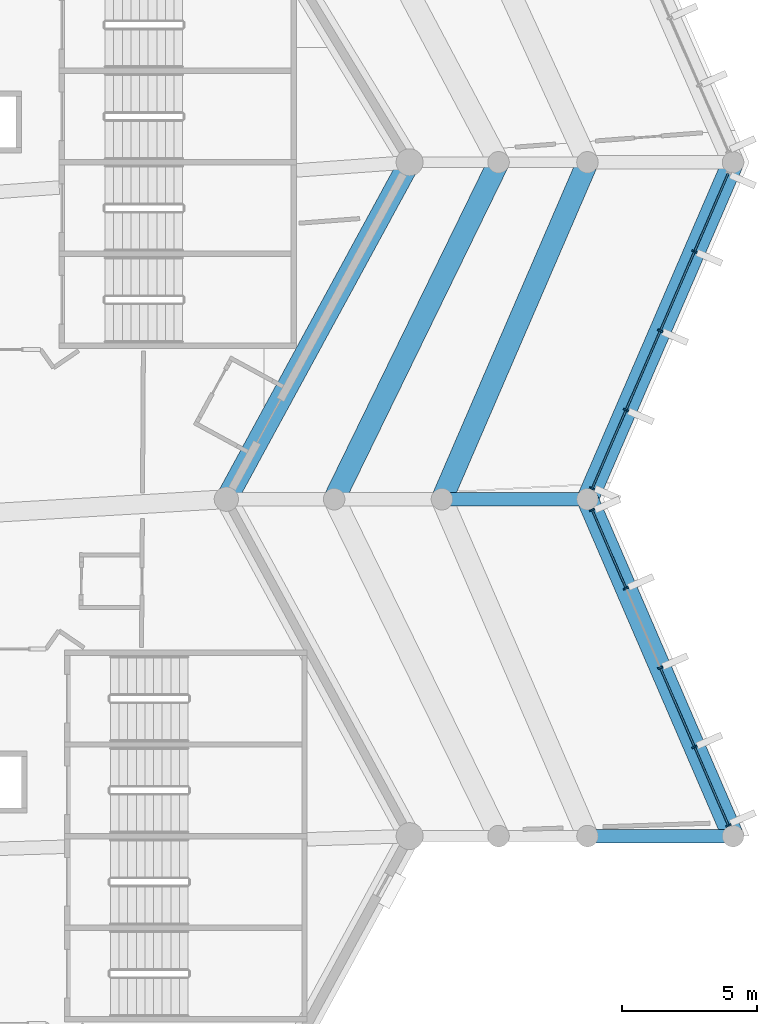
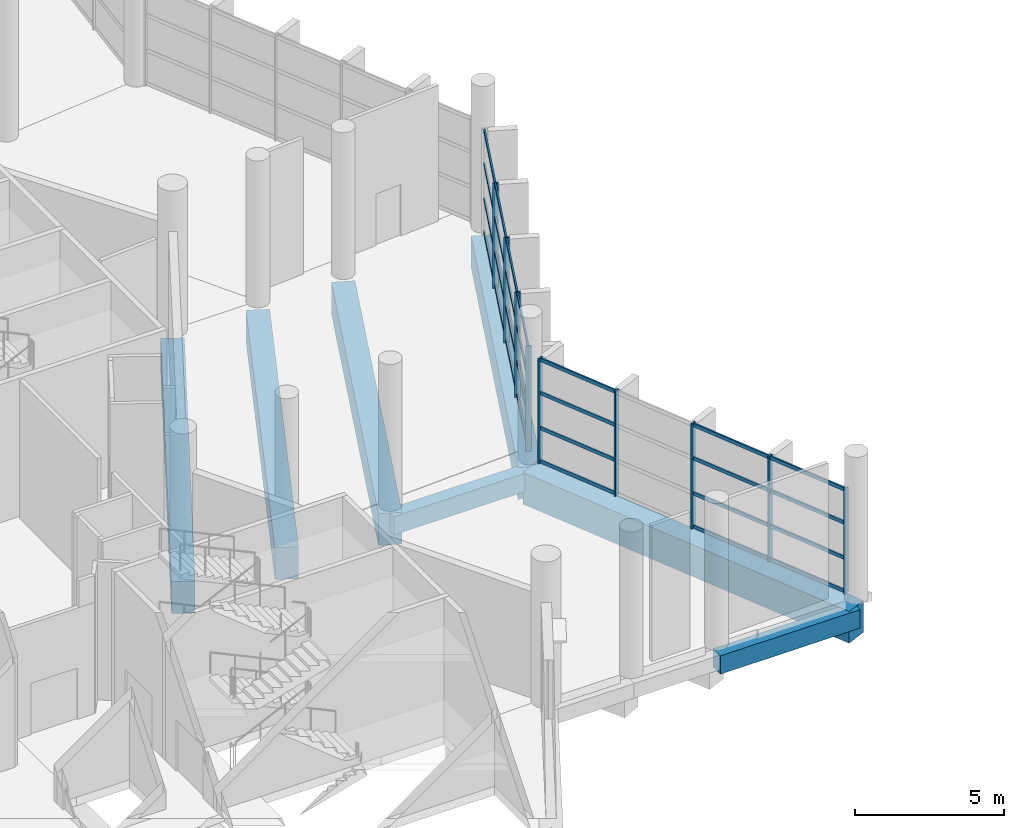
# One storey, part 81 of 249: 37 members, 7 beams, 2 elements without a shape of their own.
"""IFC4 building model written with IfcOpenShell, lengths in metres."""

from ifc_helpers import new_model, si_unit, direction, frame, origin, origin_2d, place, context, subcontext, project, spatial, rectangle, extrude, material, layer, layer_set, material_profile, profile_set, type_object, element, aggregate, save


model = new_model("IFC4")

# Units and contexts
model_context = context("Model", 3, precision=1e-05, world=origin(), true_north=direction((0.0, 1.0)))
body_context = subcontext(model_context, "Body", "Model", "MODEL_VIEW")
ifc_project = project(units=[si_unit("LENGTHUNIT", "METRE"), si_unit("AREAUNIT", "SQUARE_METRE"), si_unit("VOLUMEUNIT", "CUBIC_METRE"), si_unit("PLANEANGLEUNIT", "RADIAN"), si_unit("MASSUNIT", "GRAM", prefix="KILO")], contexts=[model_context])

# Site, building, storey
site_placement = place(None, origin())
site = spatial("IfcSite", under=ifc_project, at=site_placement, CompositionType="ELEMENT")
building_placement = place(site_placement, origin())
building = spatial("IfcBuilding", under=site, at=building_placement, Name="Meseta Stadium", CompositionType="ELEMENT")
storey_placement = place(building_placement, frame((0.0, 0.0, 12.0)))
storey = spatial("IfcBuildingStorey", under=building, at=storey_placement, Name="L02", CompositionType="ELEMENT", Elevation=12.0)

# Beams
ifc_material_1 = material(Name="Concrete C40/50", Category="concrete")
ifc_material_profile_1 = material_profile(ifc_material_1, rectangle(XDim=0.5, YDim=0.75, at=origin_2d()), Name="RC 500x750")
ifc_profile_set_1 = profile_set([ifc_material_profile_1], Name="Concrete C40/50")
beam_type_1 = type_object("IfcBeamType", Name="RC beam 500x750", PredefinedType="BEAM", material=ifc_profile_set_1)
for number, where, z_axis, x_axis, name in (
    (1, (108.0, 18.75, -0.72509765625), (1.0, 0.0, 0.0), (0.0, 1.0, 0.0), "L02 radial beam frame 6 line Q to O"),
    (2, (102.60009765625, 31.25, -0.72509765625), (1.0, 0.0, 0.0), (0.0, 1.0, 0.0), "L02 radial beam frame 7 line Q to O"),
):
    element("IfcBeam", number, at=place(storey_placement, frame(where, z_axis=z_axis, x_axis=x_axis)), inside=storey, type_object=beam_type_1, Name=name, PredefinedType="BEAM", context=body_context, shape_type="SweptSolid", body=[
        extrude(rectangle(XDim=0.5, YDim=0.75, at=origin_2d()), origin(), (0.0, 0.0, 1.0), 5.39990234375),
    ])
ifc_material_2 = material(Name="Concrete C40/50", Category="concrete")
ifc_material_profile_2 = material_profile(ifc_material_2, rectangle(XDim=0.800048828125, YDim=1.300048828125, at=origin_2d()), Name="RC 800x1300")
ifc_profile_set_2 = profile_set([ifc_material_profile_2], Name="Concrete C40/50")
beam_type_2 = type_object("IfcBeamType", Name="RC beam 800x1300", PredefinedType="BEAM", material=ifc_profile_set_2)
beam_1_placement = place(storey_placement, frame((94.60009765625, 31.25, -1.0), z_axis=(0.47785649891, 0.878437912689, 0.0), x_axis=(-0.878437912689, 0.47785649891, 0.0)))
element("IfcBeam", 3, at=beam_1_placement, inside=storey, type_object=beam_type_2, Name="L02 ring beam frame 7 line R", PredefinedType="BEAM", context=body_context, shape_type="SweptSolid", body=[
    extrude(rectangle(XDim=0.800048828125, YDim=1.300048828125, at=origin_2d()), origin(), (0.0, 0.0, 1.0), 14.229736328125),
])
beam_2_placement = place(storey_placement, frame((113.39990234375, 18.75, -1.0), z_axis=(-0.396570645327, 0.918004206562, 0.0), x_axis=(-0.918004206562, -0.396570645327, 0.0)))
element("IfcBeam", 4, at=beam_2_placement, inside=storey, type_object=beam_type_2, Name="L02 ring beam frame 6 line O", PredefinedType="BEAM", context=body_context, shape_type="SweptSolid", body=[
    extrude(rectangle(XDim=0.800048828125, YDim=1.300048828125, at=origin_2d()), origin(), (0.0, 0.0, 1.0), 13.616455078125),
])
beam_3_placement = place(storey_placement, frame((98.60009765625, 31.25, -1.0), z_axis=(0.438556770405, 0.898703487882, 0.0), x_axis=(-0.898703487882, 0.438556770405, 0.0)))
element("IfcBeam", 5, at=beam_3_placement, inside=storey, type_object=beam_type_2, Name="L02 ring beam frame 7 line M", PredefinedType="BEAM", context=body_context, shape_type="SweptSolid", body=[
    extrude(rectangle(XDim=0.800048828125, YDim=1.300048828125, at=origin_2d()), origin(), (0.0, 0.0, 1.0), 13.908935546875),
])
for number, where, z_axis, x_axis, name in (
    (6, (102.60009765625, 31.25, -1.0), (0.396570645327, 0.918004206562, 0.0), (-0.918004206562, 0.396570645327, 0.0), "L02 ring beam frame 7 line Q"),
    (7, (108.0, 31.25, -1.0), (0.396570645327, 0.918004206562, 0.0), (-0.918004206562, 0.396570645327, 0.0), "L02 ring beam frame 7 line O"),
):
    element("IfcBeam", number, at=place(storey_placement, frame(where, z_axis=z_axis, x_axis=x_axis)), inside=storey, type_object=beam_type_2, Name=name, PredefinedType="BEAM", context=body_context, shape_type="SweptSolid", body=[
        extrude(rectangle(XDim=0.800048828125, YDim=1.300048828125, at=origin_2d()), origin(), (0.0, 0.0, 1.0), 13.616455078125),
    ])

# Curtain wall, members
ifc_material_3 = material(Name="Aluminium", Category="aluminium")
ifc_layer = layer(ifc_material_3, 0.199951171875)
ifc_layer_set = layer_set([ifc_layer], Name="Ring shopfront curtain wall")
curtain_wall_type = type_object("IfcCurtainWallType", Name="Ring shopfront curtain wall", PredefinedType="NOTDEFINED", material=ifc_layer_set)
curtain_wall_1_placement = place(storey_placement, origin())
curtain_wall_1 = element("IfcCurtainWall", 8, at=curtain_wall_1_placement, inside=storey, type_object=curtain_wall_type, Name="Ring glazing L02 F06", PredefinedType="NOTDEFINED")
ifc_material_4 = material(Name="Aluminium", Category="aluminium")
ifc_material_profile_3 = material_profile(ifc_material_4, rectangle(XDim=0.199951171875, YDim=0.06005859375, at=origin_2d()), Name="CW 200x60")
ifc_profile_set_3 = profile_set([ifc_material_profile_3], Name="Aluminium")
member_type_1 = type_object("IfcMemberType", Name="Ring CW mullion 60x200", PredefinedType="MULLION", material=ifc_profile_set_3)
member_1_placement = place(storey_placement, frame((113.2294921875, 19.144775390625, 0.0), z_axis=(0.0, 0.0, 1.0), x_axis=(-0.91799986854, -0.396580687073, 0.0)))
member_1 = element("IfcMember", 9, at=member_1_placement, type_object=member_type_1, Name="CWR1 mullion 1", PredefinedType="MULLION", context=body_context, shape_type="SweptSolid", body=[
    extrude(rectangle(XDim=0.199951171875, YDim=0.06005859375, at=origin_2d()), origin(), (0.0, 0.0, 1.0), 4.300048828125),
])
member_2_placement = place(storey_placement, frame((111.970703125, 22.05859375, 0.0), z_axis=(0.0, 0.0, 1.0), x_axis=(-0.91799986854, -0.396580687073, 0.0)))
member_2 = element("IfcMember", 10, at=member_2_placement, type_object=member_type_1, Name="CWR1 mullion 2", PredefinedType="MULLION", context=body_context, shape_type="SweptSolid", body=[
    extrude(rectangle(XDim=0.199951171875, YDim=0.06005859375, at=origin_2d()), origin(), (0.0, 0.0, 1.0), 4.300048828125),
])
member_3_placement = place(storey_placement, frame((110.699951171875, 25.0, 0.0), z_axis=(0.0, 0.0, 1.0), x_axis=(-0.91799986854, -0.396580687073, 0.0)))
member_3 = element("IfcMember", 11, at=member_3_placement, type_object=member_type_1, Name="CWR1 mullion 3", PredefinedType="MULLION", context=body_context, shape_type="SweptSolid", body=[
    extrude(rectangle(XDim=0.199951171875, YDim=0.06005859375, at=origin_2d()), origin(), (0.0, 0.0, 1.0), 4.300048828125),
])
member_4_placement = place(storey_placement, frame((109.42919921875, 27.94140625, 0.0), z_axis=(0.0, 0.0, 1.0), x_axis=(-0.91799986854, -0.396580687073, 0.0)))
member_4 = element("IfcMember", 12, at=member_4_placement, type_object=member_type_1, Name="CWR1 mullion 4", PredefinedType="MULLION", context=body_context, shape_type="SweptSolid", body=[
    extrude(rectangle(XDim=0.199951171875, YDim=0.06005859375, at=origin_2d()), origin(), (0.0, 0.0, 1.0), 4.300048828125),
])
member_5_placement = place(storey_placement, frame((108.17041015625, 30.855224609375, 0.0), z_axis=(0.0, 0.0, 1.0), x_axis=(-0.91799986854, -0.396580687073, 0.0)))
member_5 = element("IfcMember", 13, at=member_5_placement, type_object=member_type_1, Name="CWR1 mullion 5", PredefinedType="MULLION", context=body_context, shape_type="SweptSolid", body=[
    extrude(rectangle(XDim=0.199951171875, YDim=0.06005859375, at=origin_2d()), origin(), (0.0, 0.0, 1.0), 4.300048828125),
])

curtain_wall_2_placement = place(storey_placement, origin())
curtain_wall_2 = element("IfcCurtainWall", 14, at=curtain_wall_2_placement, inside=storey, type_object=curtain_wall_type, Name="Ring glazing L02 F07", PredefinedType="NOTDEFINED")
member_6_placement = place(storey_placement, frame((108.17041015625, 31.644775390625, 0.0), z_axis=(0.0, 0.0, 1.0), x_axis=(-0.91799986854, 0.396580687073, 0.0)))
member_6 = element("IfcMember", 15, at=member_6_placement, type_object=member_type_1, Name="CWR1 mullion 1", PredefinedType="MULLION", context=body_context, shape_type="SweptSolid", body=[
    extrude(rectangle(XDim=0.199951171875, YDim=0.06005859375, at=origin_2d()), origin(), (0.0, 0.0, 1.0), 4.300048828125),
])
member_7_placement = place(storey_placement, frame((109.42919921875, 34.55859375, 0.0), z_axis=(0.0, 0.0, 1.0), x_axis=(-0.91799986854, 0.396580687073, 0.0)))
member_7 = element("IfcMember", 16, at=member_7_placement, type_object=member_type_1, Name="CWR1 mullion 2", PredefinedType="MULLION", context=body_context, shape_type="SweptSolid", body=[
    extrude(rectangle(XDim=0.199951171875, YDim=0.06005859375, at=origin_2d()), origin(), (0.0, 0.0, 1.0), 4.300048828125),
])
member_8_placement = place(storey_placement, frame((110.699951171875, 37.5, 0.0), z_axis=(0.0, 0.0, 1.0), x_axis=(-0.91799986854, 0.396580687073, 0.0)))
member_8 = element("IfcMember", 17, at=member_8_placement, type_object=member_type_1, Name="CWR1 mullion 3", PredefinedType="MULLION", context=body_context, shape_type="SweptSolid", body=[
    extrude(rectangle(XDim=0.199951171875, YDim=0.06005859375, at=origin_2d()), origin(), (0.0, 0.0, 1.0), 4.300048828125),
])
member_9_placement = place(storey_placement, frame((111.970703125, 40.44140625, 0.0), z_axis=(0.0, 0.0, 1.0), x_axis=(-0.91799986854, 0.396580687073, 0.0)))
member_9 = element("IfcMember", 18, at=member_9_placement, type_object=member_type_1, Name="CWR1 mullion 4", PredefinedType="MULLION", context=body_context, shape_type="SweptSolid", body=[
    extrude(rectangle(XDim=0.199951171875, YDim=0.06005859375, at=origin_2d()), origin(), (0.0, 0.0, 1.0), 4.300048828125),
])

# Member
ifc_material_5 = material(Name="Aluminium", Category="aluminium")
ifc_material_profile_4 = material_profile(ifc_material_5, rectangle(XDim=0.06005859375, YDim=0.14990234375, at=origin_2d()), Name="CW 60x150")
ifc_profile_set_4 = profile_set([ifc_material_profile_4], Name="Aluminium")
member_type_2 = type_object("IfcMemberType", Name="Ring CW transom 60x150", PredefinedType="USERDEFINED", material=ifc_profile_set_4)
member_10_placement = place(storey_placement, frame((113.217529296875, 19.17236328125, 0.074951171875), z_axis=(-0.396557660608, 0.91800981575, 0.0), x_axis=(-0.91800981575, -0.396557660608, 0.0)))
member_10 = element("IfcMember", 19, at=member_10_placement, type_object=member_type_2, Name="CWR1 transom 1.1", ObjectType="TRANSOM", PredefinedType="USERDEFINED", context=body_context, shape_type="SweptSolid", body=[
    extrude(rectangle(XDim=0.06005859375, YDim=0.14990234375, at=origin_2d()), origin(), (0.0, 0.0, 1.0), 3.114013671875),
])

member_11_placement = place(storey_placement, frame((113.217529296875, 19.17236328125, 1.433349609375), z_axis=(-0.396557660608, 0.91800981575, 0.0), x_axis=(-0.91800981575, -0.396557660608, 0.0)))
member_11 = element("IfcMember", 20, at=member_11_placement, type_object=member_type_2, Name="CWR1 transom 1.2", ObjectType="TRANSOM", PredefinedType="USERDEFINED", context=body_context, shape_type="SweptSolid", body=[
    extrude(rectangle(XDim=0.06005859375, YDim=0.14990234375, at=origin_2d()), origin(), (0.0, 0.0, 1.0), 3.114013671875),
])

member_12_placement = place(storey_placement, frame((113.217529296875, 19.17236328125, 2.86669921875), z_axis=(-0.396557660608, 0.91800981575, 0.0), x_axis=(-0.91800981575, -0.396557660608, 0.0)))
member_12 = element("IfcMember", 21, at=member_12_placement, type_object=member_type_2, Name="CWR1 transom 1.3", ObjectType="TRANSOM", PredefinedType="USERDEFINED", context=body_context, shape_type="SweptSolid", body=[
    extrude(rectangle(XDim=0.06005859375, YDim=0.14990234375, at=origin_2d()), origin(), (0.0, 0.0, 1.0), 3.114013671875),
])

member_13_placement = place(storey_placement, frame((113.217529296875, 19.17236328125, 4.22509765625), z_axis=(-0.396557660608, 0.91800981575, 0.0), x_axis=(-0.91800981575, -0.396557660608, 0.0)))
member_13 = element("IfcMember", 22, at=member_13_placement, type_object=member_type_2, Name="CWR1 transom 1.4", ObjectType="TRANSOM", PredefinedType="USERDEFINED", context=body_context, shape_type="SweptSolid", body=[
    extrude(rectangle(XDim=0.06005859375, YDim=0.14990234375, at=origin_2d()), origin(), (0.0, 0.0, 1.0), 3.114013671875),
])

member_14_placement = place(storey_placement, frame((111.958740234375, 22.086181640625, 0.074951171875), z_axis=(-0.396569883564, 0.918004535637, 0.0), x_axis=(-0.918004535637, -0.396569883564, 0.0)))
member_14 = element("IfcMember", 23, at=member_14_placement, type_object=member_type_2, Name="CWR1 transom 2.1", ObjectType="TRANSOM", PredefinedType="USERDEFINED", context=body_context, shape_type="SweptSolid", body=[
    extrude(rectangle(XDim=0.06005859375, YDim=0.14990234375, at=origin_2d()), origin(), (0.0, 0.0, 1.0), 3.14404296875),
])

member_15_placement = place(storey_placement, frame((111.958740234375, 22.086181640625, 1.433349609375), z_axis=(-0.396569883564, 0.918004535637, 0.0), x_axis=(-0.918004535637, -0.396569883564, 0.0)))
member_15 = element("IfcMember", 24, at=member_15_placement, type_object=member_type_2, Name="CWR1 transom 2.2", ObjectType="TRANSOM", PredefinedType="USERDEFINED", context=body_context, shape_type="SweptSolid", body=[
    extrude(rectangle(XDim=0.06005859375, YDim=0.14990234375, at=origin_2d()), origin(), (0.0, 0.0, 1.0), 3.14404296875),
])

member_16_placement = place(storey_placement, frame((111.958740234375, 22.086181640625, 2.86669921875), z_axis=(-0.396569883564, 0.918004535637, 0.0), x_axis=(-0.918004535637, -0.396569883564, 0.0)))
member_16 = element("IfcMember", 25, at=member_16_placement, type_object=member_type_2, Name="CWR1 transom 2.3", ObjectType="TRANSOM", PredefinedType="USERDEFINED", context=body_context, shape_type="SweptSolid", body=[
    extrude(rectangle(XDim=0.06005859375, YDim=0.14990234375, at=origin_2d()), origin(), (0.0, 0.0, 1.0), 3.14404296875),
])

member_17_placement = place(storey_placement, frame((111.958740234375, 22.086181640625, 4.22509765625), z_axis=(-0.396569883564, 0.918004535637, 0.0), x_axis=(-0.918004535637, -0.396569883564, 0.0)))
member_17 = element("IfcMember", 26, at=member_17_placement, type_object=member_type_2, Name="CWR1 transom 2.4", ObjectType="TRANSOM", PredefinedType="USERDEFINED", context=body_context, shape_type="SweptSolid", body=[
    extrude(rectangle(XDim=0.06005859375, YDim=0.14990234375, at=origin_2d()), origin(), (0.0, 0.0, 1.0), 3.14404296875),
])

member_18_placement = place(storey_placement, frame((109.41748046875, 27.968994140625, 0.074951171875), z_axis=(-0.396623730244, 0.917981272471, 0.0), x_axis=(-0.917981272471, -0.396623730244, 0.0)))
member_18 = element("IfcMember", 27, at=member_18_placement, type_object=member_type_2, Name="CWR1 transom 4.1", ObjectType="TRANSOM", PredefinedType="USERDEFINED", context=body_context, shape_type="SweptSolid", body=[
    extrude(rectangle(XDim=0.06005859375, YDim=0.14990234375, at=origin_2d()), origin(), (0.0, 0.0, 1.0), 3.114013671875),
])

member_19_placement = place(storey_placement, frame((109.41748046875, 27.968994140625, 1.433349609375), z_axis=(-0.396623730244, 0.917981272471, 0.0), x_axis=(-0.917981272471, -0.396623730244, 0.0)))
member_19 = element("IfcMember", 28, at=member_19_placement, type_object=member_type_2, Name="CWR1 transom 4.2", ObjectType="TRANSOM", PredefinedType="USERDEFINED", context=body_context, shape_type="SweptSolid", body=[
    extrude(rectangle(XDim=0.06005859375, YDim=0.14990234375, at=origin_2d()), origin(), (0.0, 0.0, 1.0), 3.114013671875),
])

member_20_placement = place(storey_placement, frame((109.41748046875, 27.968994140625, 2.86669921875), z_axis=(-0.396623730244, 0.917981272471, 0.0), x_axis=(-0.917981272471, -0.396623730244, 0.0)))
member_20 = element("IfcMember", 29, at=member_20_placement, type_object=member_type_2, Name="CWR1 transom 4.3", ObjectType="TRANSOM", PredefinedType="USERDEFINED", context=body_context, shape_type="SweptSolid", body=[
    extrude(rectangle(XDim=0.06005859375, YDim=0.14990234375, at=origin_2d()), origin(), (0.0, 0.0, 1.0), 3.114013671875),
])

member_21_placement = place(storey_placement, frame((109.41748046875, 27.968994140625, 4.22509765625), z_axis=(-0.396623730244, 0.917981272471, 0.0), x_axis=(-0.917981272471, -0.396623730244, 0.0)))
member_21 = element("IfcMember", 30, at=member_21_placement, type_object=member_type_2, Name="CWR1 transom 4.4", ObjectType="TRANSOM", PredefinedType="USERDEFINED", context=body_context, shape_type="SweptSolid", body=[
    extrude(rectangle(XDim=0.06005859375, YDim=0.14990234375, at=origin_2d()), origin(), (0.0, 0.0, 1.0), 3.114013671875),
])

aggregate(curtain_wall_1, [member_1, member_2, member_3, member_4, member_5, member_10, member_11, member_12, member_13, member_14, member_15, member_16, member_17, member_18, member_19, member_20, member_21])

member_22_placement = place(storey_placement, frame((108.182373046875, 31.67236328125, 0.074951171875), z_axis=(0.396623730244, 0.917981272471, 0.0), x_axis=(-0.917981272471, 0.396623730244, 0.0)))
member_22 = element("IfcMember", 31, at=member_22_placement, type_object=member_type_2, Name="CWR1 transom 1.1", ObjectType="TRANSOM", PredefinedType="USERDEFINED", context=body_context, shape_type="SweptSolid", body=[
    extrude(rectangle(XDim=0.06005859375, YDim=0.14990234375, at=origin_2d()), origin(), (0.0, 0.0, 1.0), 3.114013671875),
])

member_23_placement = place(storey_placement, frame((108.182373046875, 31.67236328125, 1.433349609375), z_axis=(0.396623730244, 0.917981272471, 0.0), x_axis=(-0.917981272471, 0.396623730244, 0.0)))
member_23 = element("IfcMember", 32, at=member_23_placement, type_object=member_type_2, Name="CWR1 transom 1.2", ObjectType="TRANSOM", PredefinedType="USERDEFINED", context=body_context, shape_type="SweptSolid", body=[
    extrude(rectangle(XDim=0.06005859375, YDim=0.14990234375, at=origin_2d()), origin(), (0.0, 0.0, 1.0), 3.114013671875),
])

member_24_placement = place(storey_placement, frame((108.182373046875, 31.67236328125, 2.86669921875), z_axis=(0.396623730244, 0.917981272471, 0.0), x_axis=(-0.917981272471, 0.396623730244, 0.0)))
member_24 = element("IfcMember", 33, at=member_24_placement, type_object=member_type_2, Name="CWR1 transom 1.3", ObjectType="TRANSOM", PredefinedType="USERDEFINED", context=body_context, shape_type="SweptSolid", body=[
    extrude(rectangle(XDim=0.06005859375, YDim=0.14990234375, at=origin_2d()), origin(), (0.0, 0.0, 1.0), 3.114013671875),
])

member_25_placement = place(storey_placement, frame((108.182373046875, 31.67236328125, 4.22509765625), z_axis=(0.396623730244, 0.917981272471, 0.0), x_axis=(-0.917981272471, 0.396623730244, 0.0)))
member_25 = element("IfcMember", 34, at=member_25_placement, type_object=member_type_2, Name="CWR1 transom 1.4", ObjectType="TRANSOM", PredefinedType="USERDEFINED", context=body_context, shape_type="SweptSolid", body=[
    extrude(rectangle(XDim=0.06005859375, YDim=0.14990234375, at=origin_2d()), origin(), (0.0, 0.0, 1.0), 3.114013671875),
])

member_26_placement = place(storey_placement, frame((109.441162109375, 34.586181640625, 0.074951171875), z_axis=(0.396569883564, 0.918004535637, 0.0), x_axis=(-0.918004535637, 0.396569883564, 0.0)))
member_26 = element("IfcMember", 35, at=member_26_placement, type_object=member_type_2, Name="CWR1 transom 2.1", ObjectType="TRANSOM", PredefinedType="USERDEFINED", context=body_context, shape_type="SweptSolid", body=[
    extrude(rectangle(XDim=0.06005859375, YDim=0.14990234375, at=origin_2d()), origin(), (0.0, 0.0, 1.0), 3.14404296875),
])

member_27_placement = place(storey_placement, frame((109.441162109375, 34.586181640625, 1.433349609375), z_axis=(0.396569883564, 0.918004535637, 0.0), x_axis=(-0.918004535637, 0.396569883564, 0.0)))
member_27 = element("IfcMember", 36, at=member_27_placement, type_object=member_type_2, Name="CWR1 transom 2.2", ObjectType="TRANSOM", PredefinedType="USERDEFINED", context=body_context, shape_type="SweptSolid", body=[
    extrude(rectangle(XDim=0.06005859375, YDim=0.14990234375, at=origin_2d()), origin(), (0.0, 0.0, 1.0), 3.14404296875),
])

member_28_placement = place(storey_placement, frame((109.441162109375, 34.586181640625, 2.86669921875), z_axis=(0.396569883564, 0.918004535637, 0.0), x_axis=(-0.918004535637, 0.396569883564, 0.0)))
member_28 = element("IfcMember", 37, at=member_28_placement, type_object=member_type_2, Name="CWR1 transom 2.3", ObjectType="TRANSOM", PredefinedType="USERDEFINED", context=body_context, shape_type="SweptSolid", body=[
    extrude(rectangle(XDim=0.06005859375, YDim=0.14990234375, at=origin_2d()), origin(), (0.0, 0.0, 1.0), 3.14404296875),
])

member_29_placement = place(storey_placement, frame((109.441162109375, 34.586181640625, 4.22509765625), z_axis=(0.396569883564, 0.918004535637, 0.0), x_axis=(-0.918004535637, 0.396569883564, 0.0)))
member_29 = element("IfcMember", 38, at=member_29_placement, type_object=member_type_2, Name="CWR1 transom 2.4", ObjectType="TRANSOM", PredefinedType="USERDEFINED", context=body_context, shape_type="SweptSolid", body=[
    extrude(rectangle(XDim=0.06005859375, YDim=0.14990234375, at=origin_2d()), origin(), (0.0, 0.0, 1.0), 3.14404296875),
])

member_30_placement = place(storey_placement, frame((110.7119140625, 37.527587890625, 0.074951171875), z_axis=(0.396569883564, 0.918004535637, 0.0), x_axis=(-0.918004535637, 0.396569883564, 0.0)))
member_30 = element("IfcMember", 39, at=member_30_placement, type_object=member_type_2, Name="CWR1 transom 3.1", ObjectType="TRANSOM", PredefinedType="USERDEFINED", context=body_context, shape_type="SweptSolid", body=[
    extrude(rectangle(XDim=0.06005859375, YDim=0.14990234375, at=origin_2d()), origin(), (0.0, 0.0, 1.0), 3.14404296875),
])

member_31_placement = place(storey_placement, frame((110.7119140625, 37.527587890625, 1.433349609375), z_axis=(0.396569883564, 0.918004535637, 0.0), x_axis=(-0.918004535637, 0.396569883564, 0.0)))
member_31 = element("IfcMember", 40, at=member_31_placement, type_object=member_type_2, Name="CWR1 transom 3.2", ObjectType="TRANSOM", PredefinedType="USERDEFINED", context=body_context, shape_type="SweptSolid", body=[
    extrude(rectangle(XDim=0.06005859375, YDim=0.14990234375, at=origin_2d()), origin(), (0.0, 0.0, 1.0), 3.14404296875),
])

member_32_placement = place(storey_placement, frame((110.7119140625, 37.527587890625, 2.86669921875), z_axis=(0.396569883564, 0.918004535637, 0.0), x_axis=(-0.918004535637, 0.396569883564, 0.0)))
member_32 = element("IfcMember", 41, at=member_32_placement, type_object=member_type_2, Name="CWR1 transom 3.3", ObjectType="TRANSOM", PredefinedType="USERDEFINED", context=body_context, shape_type="SweptSolid", body=[
    extrude(rectangle(XDim=0.06005859375, YDim=0.14990234375, at=origin_2d()), origin(), (0.0, 0.0, 1.0), 3.14404296875),
])

member_33_placement = place(storey_placement, frame((110.7119140625, 37.527587890625, 4.22509765625), z_axis=(0.396569883564, 0.918004535637, 0.0), x_axis=(-0.918004535637, 0.396569883564, 0.0)))
member_33 = element("IfcMember", 42, at=member_33_placement, type_object=member_type_2, Name="CWR1 transom 3.4", ObjectType="TRANSOM", PredefinedType="USERDEFINED", context=body_context, shape_type="SweptSolid", body=[
    extrude(rectangle(XDim=0.06005859375, YDim=0.14990234375, at=origin_2d()), origin(), (0.0, 0.0, 1.0), 3.14404296875),
])

member_34_placement = place(storey_placement, frame((111.982666015625, 40.468994140625, 0.074951171875), z_axis=(0.396557660608, 0.91800981575, 0.0), x_axis=(-0.91800981575, 0.396557660608, 0.0)))
member_34 = element("IfcMember", 43, at=member_34_placement, type_object=member_type_2, Name="CWR1 transom 4.1", ObjectType="TRANSOM", PredefinedType="USERDEFINED", context=body_context, shape_type="SweptSolid", body=[
    extrude(rectangle(XDim=0.06005859375, YDim=0.14990234375, at=origin_2d()), origin(), (0.0, 0.0, 1.0), 3.114013671875),
])

member_35_placement = place(storey_placement, frame((111.982666015625, 40.468994140625, 1.433349609375), z_axis=(0.396557660608, 0.91800981575, 0.0), x_axis=(-0.91800981575, 0.396557660608, 0.0)))
member_35 = element("IfcMember", 44, at=member_35_placement, type_object=member_type_2, Name="CWR1 transom 4.2", ObjectType="TRANSOM", PredefinedType="USERDEFINED", context=body_context, shape_type="SweptSolid", body=[
    extrude(rectangle(XDim=0.06005859375, YDim=0.14990234375, at=origin_2d()), origin(), (0.0, 0.0, 1.0), 3.114013671875),
])

member_36_placement = place(storey_placement, frame((111.982666015625, 40.468994140625, 2.86669921875), z_axis=(0.396557660608, 0.91800981575, 0.0), x_axis=(-0.91800981575, 0.396557660608, 0.0)))
member_36 = element("IfcMember", 45, at=member_36_placement, type_object=member_type_2, Name="CWR1 transom 4.3", ObjectType="TRANSOM", PredefinedType="USERDEFINED", context=body_context, shape_type="SweptSolid", body=[
    extrude(rectangle(XDim=0.06005859375, YDim=0.14990234375, at=origin_2d()), origin(), (0.0, 0.0, 1.0), 3.114013671875),
])

member_37_placement = place(storey_placement, frame((111.982666015625, 40.468994140625, 4.22509765625), z_axis=(0.396557660608, 0.91800981575, 0.0), x_axis=(-0.91800981575, 0.396557660608, 0.0)))
member_37 = element("IfcMember", 46, at=member_37_placement, type_object=member_type_2, Name="CWR1 transom 4.4", ObjectType="TRANSOM", PredefinedType="USERDEFINED", context=body_context, shape_type="SweptSolid", body=[
    extrude(rectangle(XDim=0.06005859375, YDim=0.14990234375, at=origin_2d()), origin(), (0.0, 0.0, 1.0), 3.114013671875),
])

aggregate(curtain_wall_2, [member_6, member_7, member_8, member_9, member_22, member_23, member_24, member_25, member_26, member_27, member_28, member_29, member_30, member_31, member_32, member_33, member_34, member_35, member_36, member_37])

save(model, "model.ifc")
